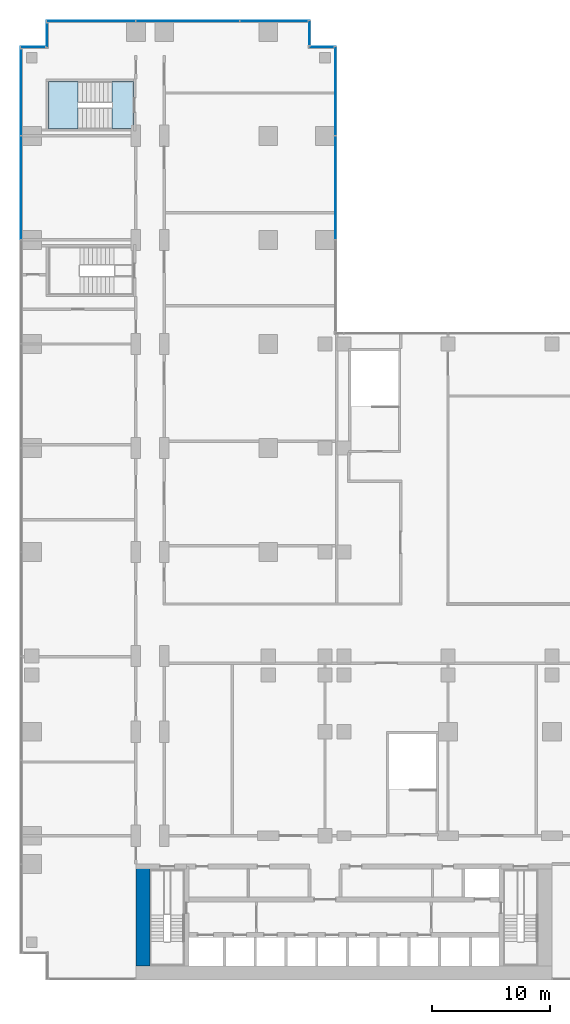
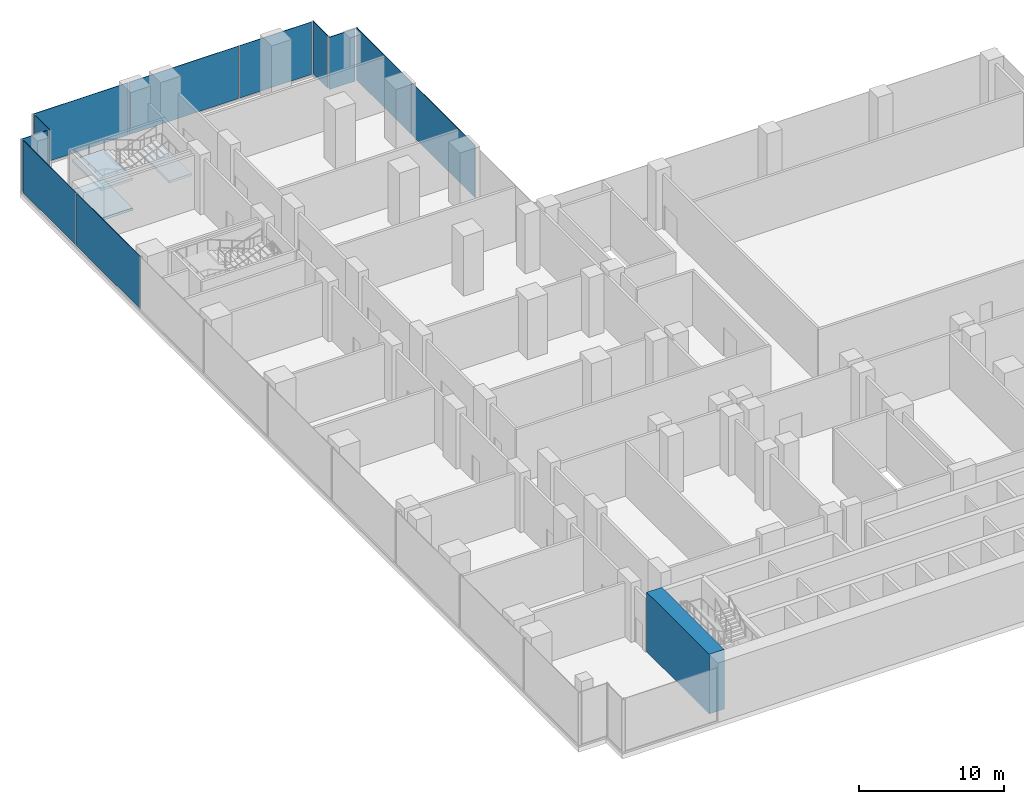
# One storey, part 17 of 27: 11 plates, 3 slabs, 1 wall, 8 elements without a shape of their own.
"""IFC4 building model written with IfcOpenShell, lengths in metres."""

from ifc_helpers import new_model, si_unit, direction, frame, frame_2d, origin, origin_2d, place, context, subcontext, project, spatial, polyline, rectangle, outline, extrude, source, transform, mapped, material, layer, layer_set, type_object, element, aggregate, save


model = new_model("IFC4")

# Units and contexts
model_context = context("Model", 3, precision=1e-05, world=origin(), true_north=direction((0.0, 1.0)))
body_context = subcontext(model_context, "Body", "Model", "MODEL_VIEW")
ifc_project = project(units=[si_unit("LENGTHUNIT", "METRE"), si_unit("AREAUNIT", "SQUARE_METRE"), si_unit("VOLUMEUNIT", "CUBIC_METRE"), si_unit("PLANEANGLEUNIT", "RADIAN"), si_unit("MASSUNIT", "GRAM", prefix="KILO")], contexts=[model_context])

# Site, building, storey
site_placement = place(None, origin())
site = spatial("IfcSite", under=ifc_project, at=site_placement, CompositionType="ELEMENT")
building_placement = place(site_placement, origin())
building = spatial("IfcBuilding", under=site, at=building_placement, Name="Kemantara Hotel Tower", CompositionType="ELEMENT")
storey_placement = place(building_placement, frame((0.0, 0.0, 29.0)))
storey = spatial("IfcBuildingStorey", under=building, at=storey_placement, Name="L05", CompositionType="ELEMENT", Elevation=29.0)

# Stair, slabs
ifc_material_1 = material(Name="Concrete fc 40 MPa", Category="concrete")
stair_type = type_object("IfcStairType", Name="Stair 1800 wide 36 risers of 139 x 360 mm", PredefinedType="HALF_TURN_STAIR", material=ifc_material_1)
stair_placement = place(storey_placement, origin())
stair = element("IfcStair", 1, at=stair_placement, inside=storey, type_object=stair_type, Name="L05 Exit stair ST6", PredefinedType="HALF_TURN_STAIR")
ifc_layer_1 = layer(ifc_material_1, 0.199951171875)
ifc_layer_set_1 = layer_set([ifc_layer_1], Name="Concrete fc 40 MPa")
slab_type = type_object("IfcSlabType", Name="Stair landing 200 mm", PredefinedType="LANDING", material=ifc_layer_set_1)
slab_1_placement = place(storey_placement, frame((0.0, 0.0, 1.050048828125)))
slab_1 = element("IfcSlab", 2, at=slab_1_placement, type_object=slab_type, Name="ST6 landing 1", PredefinedType="LANDING", context=body_context, shape_type="SweptSolid", body=[
    extrude(outline(polyline([(4.919921875, 76.0), (2.39990234375, 76.0), (2.39990234375, 72.0), (4.919921875, 72.0), (4.919921875, 76.0)])), origin(), (0.0, 0.0, 1.0), 0.199951171875),
])
slab_2_placement = place(storey_placement, frame((0.0, 0.0, 2.300048828125)))
slab_2 = element("IfcSlab", 3, at=slab_2_placement, type_object=slab_type, Name="ST6 landing 2", PredefinedType="LANDING", context=body_context, shape_type="SweptSolid", body=[
    extrude(outline(polyline([(9.60009765625, 76.0), (7.800048828125, 76.0), (7.800048828125, 72.0), (9.60009765625, 72.0), (9.60009765625, 76.0)])), origin(), (0.0, 0.0, 1.0), 0.199951171875),
])
slab_3_placement = place(storey_placement, frame((0.0, 0.0, 3.550048828125)))
slab_3 = element("IfcSlab", 4, at=slab_3_placement, type_object=slab_type, Name="ST6 landing 3", PredefinedType="LANDING", context=body_context, shape_type="SweptSolid", body=[
    extrude(outline(polyline([(4.919921875, 76.0), (2.39990234375, 76.0), (2.39990234375, 72.0), (4.919921875, 72.0), (4.919921875, 76.0)])), origin(), (0.0, 0.0, 1.0), 0.199951171875),
])
aggregate(stair, [slab_1, slab_2, slab_3])

# Curtain wall, plate
ifc_material_2 = material(Name="Laminated tinted insulated glass 44 mm", Category="glass")
curtain_wall_type = type_object("IfcCurtainWallType", Name="PODIUM GLASS CURTAIN WALL", PredefinedType="USERDEFINED", material=ifc_material_2)
curtain_wall_1_placement = place(storey_placement, origin())
curtain_wall_1 = element("IfcCurtainWall", 5, at=curtain_wall_1_placement, inside=storey, type_object=curtain_wall_type, Name="CW1 L05 POD-R10-1", ObjectType="PODIUM GLASS CURTAIN WALL", PredefinedType="USERDEFINED")
ifc_layer_2 = layer(ifc_material_2, 0.0439453125)
ifc_layer_set_2 = layer_set([ifc_layer_2], Name="Laminated tinted insulated glass 44 mm")
plate_type = type_object("IfcPlateType", Name="PODIUM GLASS CURTAIN WALL PANEL", PredefinedType="CURTAIN_PANEL", material=ifc_layer_set_2)
shared_shape_1 = source(origin(), body_context, "Body", "SweptSolid", [
    extrude(rectangle(XDim=8.72509765625, YDim=0.0439453125, at=origin_2d()), origin(), (0.0, 0.0, 1.0), 4.39990234375),
])
plate_1_placement = place(storey_placement, frame((26.699951171875, 67.0, 0.150146484375), z_axis=(0.0, 0.0, 1.0), x_axis=(0.0, 1.0, 0.0)))
plate_1 = element("IfcPlate", 6, at=plate_1_placement, type_object=plate_type, Name="CW1 glass panel POD-R10-1.2", PredefinedType="CURTAIN_PANEL", context=body_context, shape_type="MappedRepresentation", body=[
    mapped(shared_shape_1, transform((0.0, 0.0, 0.0))),
])

curtain_wall_2_placement = place(storey_placement, origin())
curtain_wall_2 = element("IfcCurtainWall", 7, at=curtain_wall_2_placement, inside=storey, type_object=curtain_wall_type, Name="CW1 L05 POD-R13-1", ObjectType="PODIUM GLASS CURTAIN WALL", PredefinedType="USERDEFINED")
plate_2_placement = place(storey_placement, frame((14.199951171875, 81.10009765625, 0.150146484375), z_axis=(0.0, 0.0, 1.0), x_axis=(-1.0, 0.0, 0.0)))
plate_2 = element("IfcPlate", 8, at=plate_2_placement, type_object=plate_type, Name="CW1 glass panel POD-R13-1.2", PredefinedType="CURTAIN_PANEL", context=body_context, shape_type="MappedRepresentation", body=[
    mapped(shared_shape_1, transform((0.0, 0.0, 0.0))),
])

curtain_wall_3_placement = place(storey_placement, origin())
curtain_wall_3 = element("IfcCurtainWall", 9, at=curtain_wall_3_placement, inside=storey, type_object=curtain_wall_type, Name="CW1 L05 POD-R16-1", ObjectType="PODIUM GLASS CURTAIN WALL", PredefinedType="USERDEFINED")
plate_3_placement = place(storey_placement, frame((0.10009765625, 67.0, 0.150146484375), z_axis=(0.0, 0.0, 1.0), x_axis=(0.0, -1.0, 0.0)))
plate_3 = element("IfcPlate", 10, at=plate_3_placement, type_object=plate_type, Name="CW1 glass panel POD-R16-1.2", PredefinedType="CURTAIN_PANEL", context=body_context, shape_type="MappedRepresentation", body=[
    mapped(shared_shape_1, transform((0.0, 0.0, 0.0))),
])

# Plate
shared_shape_2 = source(origin(), body_context, "Body", "SweptSolid", [
    extrude(rectangle(XDim=7.487548828125, YDim=0.0439453125, at=origin_2d()), origin(), (0.0, 0.0, 1.0), 4.39990234375),
])
plate_4_placement = place(storey_placement, frame((26.699951171875, 75.18115234375, 0.150146484375), z_axis=(0.0, 0.0, 1.0), x_axis=(0.0, 1.0, 0.0)))
plate_4 = element("IfcPlate", 11, at=plate_4_placement, type_object=plate_type, Name="CW1 glass panel POD-R10-1.3", PredefinedType="CURTAIN_PANEL", context=body_context, shape_type="MappedRepresentation", body=[
    mapped(shared_shape_2, transform((0.0, 0.0, 0.0))),
])

aggregate(curtain_wall_1, [plate_1, plate_4])

plate_5_placement = place(storey_placement, frame((6.018798828125, 81.10009765625, 0.150146484375), z_axis=(0.0, 0.0, 1.0), x_axis=(-1.0, 0.0, 0.0)))
plate_5 = element("IfcPlate", 12, at=plate_5_placement, type_object=plate_type, Name="CW1 glass panel POD-R13-1.3", PredefinedType="CURTAIN_PANEL", context=body_context, shape_type="MappedRepresentation", body=[
    mapped(shared_shape_2, transform((0.0, 0.0, 0.0))),
])

shared_shape_3 = source(origin(), body_context, "Body", "SweptSolid", [
    extrude(rectangle(XDim=7.28759765625, YDim=0.0439453125, at=origin_2d()), origin(), (0.0, 0.0, 1.0), 4.39990234375),
])
plate_6_placement = place(storey_placement, frame((0.10009765625, 75.081298828125, 0.150146484375), z_axis=(0.0, 0.0, 1.0), x_axis=(0.0, -1.0, 0.0)))
plate_6 = element("IfcPlate", 13, at=plate_6_placement, type_object=plate_type, Name="CW1 glass panel POD-R16-1.1", PredefinedType="CURTAIN_PANEL", context=body_context, shape_type="MappedRepresentation", body=[
    mapped(shared_shape_3, transform((0.0, 0.0, 0.0))),
])

aggregate(curtain_wall_3, [plate_6, plate_3])

shared_shape_4 = source(origin(), body_context, "Body", "SweptSolid", [
    extrude(rectangle(XDim=5.6875, YDim=0.0439453125, at=origin_2d()), origin(), (0.0, 0.0, 1.0), 4.39990234375),
])
plate_7_placement = place(storey_placement, frame((21.481201171875, 81.10009765625, 0.150146484375), z_axis=(0.0, 0.0, 1.0), x_axis=(-1.0, 0.0, 0.0)))
plate_7 = element("IfcPlate", 14, at=plate_7_placement, type_object=plate_type, Name="CW1 glass panel POD-R13-1.1", PredefinedType="CURTAIN_PANEL", context=body_context, shape_type="MappedRepresentation", body=[
    mapped(shared_shape_4, transform((0.0, 0.0, 0.0))),
])

aggregate(curtain_wall_2, [plate_7, plate_2, plate_5])

# Curtain wall, plate
curtain_wall_4_placement = place(storey_placement, origin())
curtain_wall_4 = element("IfcCurtainWall", 15, at=curtain_wall_4_placement, inside=storey, type_object=curtain_wall_type, Name="CW1 L05 POD-R11-1", ObjectType="PODIUM GLASS CURTAIN WALL", PredefinedType="USERDEFINED")
shared_shape_5 = source(origin(), body_context, "Body", "SweptSolid", [
    extrude(rectangle(XDim=2.050048828125, YDim=0.0439453125, at=origin_2d()), origin(), (0.0, 0.0, 1.0), 4.39990234375),
])
plate_8_placement = place(storey_placement, frame((25.5, 78.89990234375, 0.150146484375), z_axis=(0.0, 0.0, 1.0), x_axis=(-1.0, 0.0, 0.0)))
plate_8 = element("IfcPlate", 16, at=plate_8_placement, type_object=plate_type, Name="CW1 glass panel POD-R11-1.1", PredefinedType="CURTAIN_PANEL", context=body_context, shape_type="MappedRepresentation", body=[
    mapped(shared_shape_5, transform((0.0, 0.0, 0.0))),
])
aggregate(curtain_wall_4, [plate_8])

curtain_wall_5_placement = place(storey_placement, origin())
curtain_wall_5 = element("IfcCurtainWall", 17, at=curtain_wall_5_placement, inside=storey, type_object=curtain_wall_type, Name="CW1 L05 POD-R12-1", ObjectType="PODIUM GLASS CURTAIN WALL", PredefinedType="USERDEFINED")
plate_9_placement = place(storey_placement, frame((24.5, 80.10009765625, 0.150146484375), z_axis=(0.0, 0.0, 1.0), x_axis=(0.0, 1.0, 0.0)))
plate_9 = element("IfcPlate", 18, at=plate_9_placement, type_object=plate_type, Name="CW1 glass panel POD-R12-1.1", PredefinedType="CURTAIN_PANEL", context=body_context, shape_type="MappedRepresentation", body=[
    mapped(shared_shape_5, transform((0.0, 0.0, 0.0))),
])
aggregate(curtain_wall_5, [plate_9])

curtain_wall_6_placement = place(storey_placement, origin())
curtain_wall_6 = element("IfcCurtainWall", 19, at=curtain_wall_6_placement, inside=storey, type_object=curtain_wall_type, Name="CW1 L05 POD-R14-1", ObjectType="PODIUM GLASS CURTAIN WALL", PredefinedType="USERDEFINED")
plate_10_placement = place(storey_placement, frame((2.300048828125, 79.89990234375, 0.150146484375), z_axis=(0.0, 0.0, 1.0), x_axis=(0.0, -1.0, 0.0)))
plate_10 = element("IfcPlate", 20, at=plate_10_placement, type_object=plate_type, Name="CW1 glass panel POD-R14-1.1", PredefinedType="CURTAIN_PANEL", context=body_context, shape_type="MappedRepresentation", body=[
    mapped(shared_shape_5, transform((0.0, 0.0, 0.0))),
])
aggregate(curtain_wall_6, [plate_10])

curtain_wall_7_placement = place(storey_placement, origin())
curtain_wall_7 = element("IfcCurtainWall", 21, at=curtain_wall_7_placement, inside=storey, type_object=curtain_wall_type, Name="CW1 L05 POD-R15-1", ObjectType="PODIUM GLASS CURTAIN WALL", PredefinedType="USERDEFINED")
plate_11_placement = place(storey_placement, frame((1.10009765625, 78.89990234375, 0.150146484375), z_axis=(0.0, 0.0, 1.0), x_axis=(-1.0, 0.0, 0.0)))
plate_11 = element("IfcPlate", 22, at=plate_11_placement, type_object=plate_type, Name="CW1 glass panel POD-R15-1.1", PredefinedType="CURTAIN_PANEL", context=body_context, shape_type="MappedRepresentation", body=[
    mapped(shared_shape_5, transform((0.0, 0.0, 0.0))),
])
aggregate(curtain_wall_7, [plate_11])

# Wall
ifc_material_3 = material(Name="Concrete fc 70 MPa", Category="concrete")
ifc_layer_3 = layer(ifc_material_3, 1.199951171875)
ifc_layer_set_3 = layer_set([ifc_layer_3], Name="Concrete fc 70 MPa")
wall_type = type_object("IfcWallType", Name="CORE WALL 1200 FC70", PredefinedType="SHEAR", material=ifc_layer_set_3)
wall_placement = place(storey_placement, frame((10.39990234375, 1.199951171875, 0.0), z_axis=(0.0, 0.0, 1.0), x_axis=(0.0, 1.0, 0.0)))
element("IfcWall", 23, at=wall_placement, inside=storey, type_object=wall_type, Name="CORE WALL CW-W", PredefinedType="SHEAR", context=body_context, shape_type="SweptSolid", body=[
    extrude(rectangle(XDim=8.60009765625, YDim=1.199951171875, at=frame_2d((4.300048828125, 0.0))), origin(), (0.0, 0.0, 1.0), 5.0),
])

save(model, "model.ifc")
